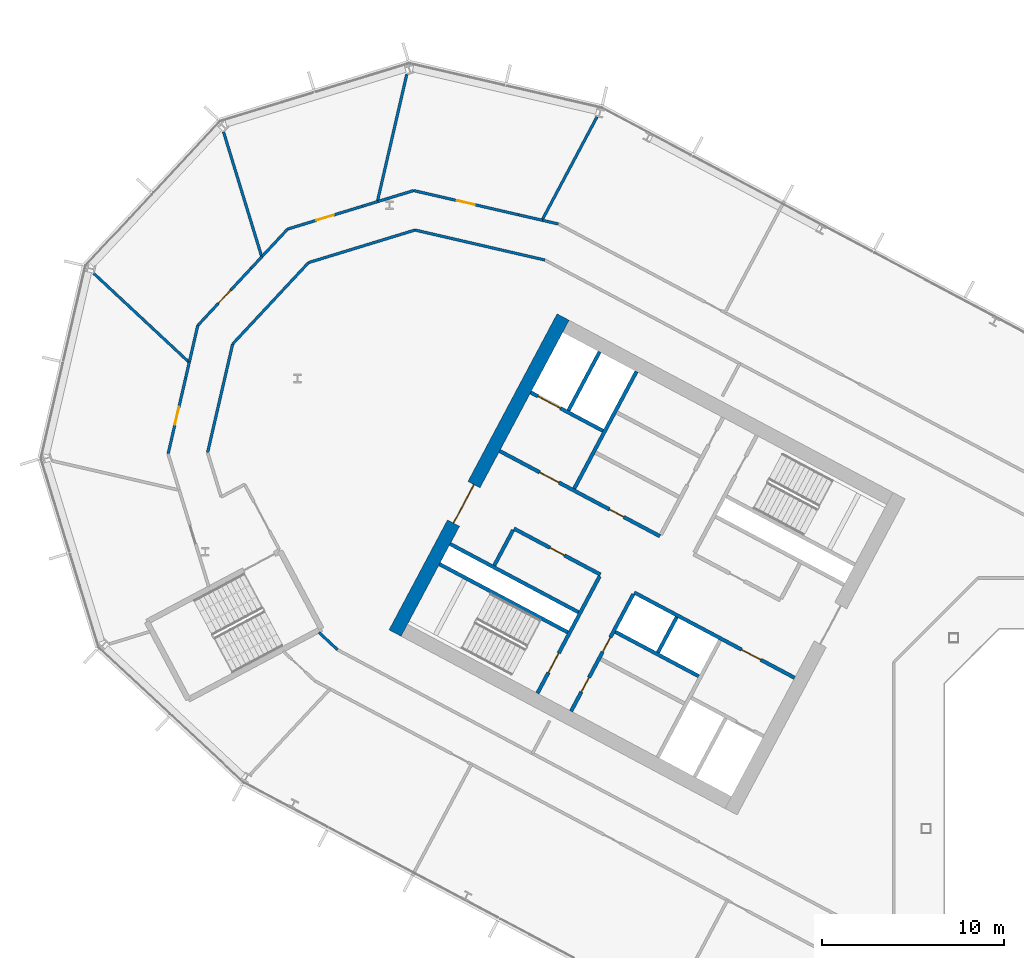
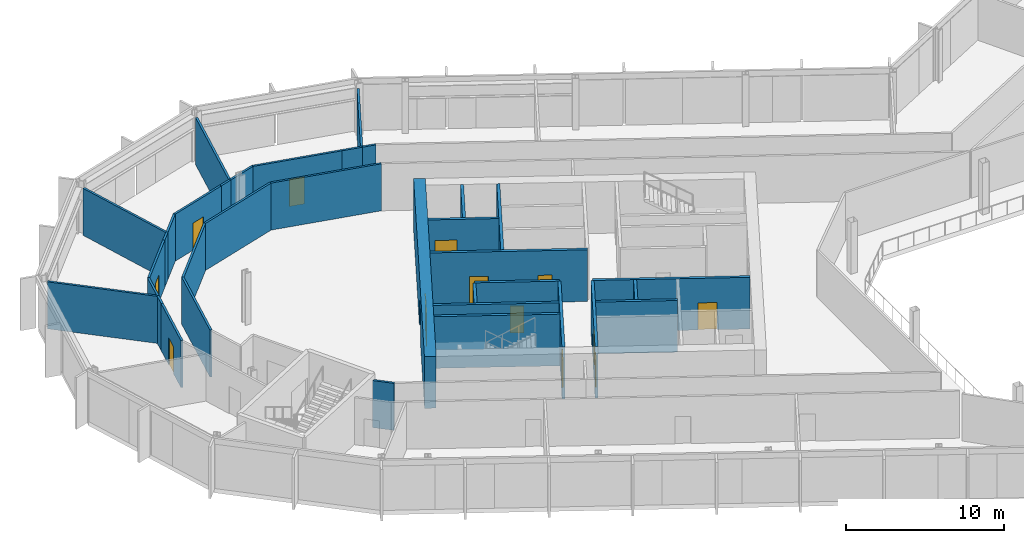
# One storey, part 14 of 28: 35 walls, 13 doors, 13 openings.
"""IFC4 building model written with IfcOpenShell, lengths in metres."""

from ifc_helpers import new_model, si_unit, direction, frame, frame_2d, origin, place, context, subcontext, project, spatial, rectangle, extrude, material, layer, layer_set, type_object, element, fill, save


model = new_model("IFC4")

# Units and contexts
model_context = context("Model", 3, precision=1e-05, world=origin(), true_north=direction((0.0, 1.0)))
body_context = subcontext(model_context, "Body", "Model", "MODEL_VIEW")
ifc_project = project(units=[si_unit("LENGTHUNIT", "METRE"), si_unit("AREAUNIT", "SQUARE_METRE"), si_unit("VOLUMEUNIT", "CUBIC_METRE"), si_unit("PLANEANGLEUNIT", "RADIAN"), si_unit("MASSUNIT", "GRAM", prefix="KILO")], contexts=[model_context])

# Site, building, storey
site_placement = place(None, origin())
site = spatial("IfcSite", under=ifc_project, at=site_placement, CompositionType="ELEMENT")
building_placement = place(site_placement, origin())
building = spatial("IfcBuilding", under=site, at=building_placement, Name="Cormorant Relay Tower", CompositionType="ELEMENT")
storey_placement = place(building_placement, frame((0.0, 0.0, 138.199951171875)))
storey = spatial("IfcBuildingStorey", under=building, at=storey_placement, Name="L28", CompositionType="ELEMENT", Elevation=138.199951171875)

# Wall
ifc_material_1 = material(Name="Concrete 40 MPa", Category="concrete")
ifc_layer_1 = layer(ifc_material_1, 0.199951171875)
ifc_layer_set_1 = layer_set([ifc_layer_1], Name="Core internal wall 200")
wall_type_1 = type_object("IfcWallType", Name="Core internal wall 200", PredefinedType="SOLIDWALL", material=ifc_layer_set_1)
wall_1_placement = place(storey_placement, frame((-25.744140625, 11.64990234375, 0.0), z_axis=(0.0, 0.0, 1.0), x_axis=(-0.469487830541, -0.882938942948, 0.0)))
element("IfcWall", 1, at=wall_1_placement, inside=storey, type_object=wall_type_1, Name="L28 core A shaft and room wall", PredefinedType="SOLIDWALL", context=body_context, shape_type="SweptSolid", body=[
    extrude(rectangle(XDim=2.2001953125, YDim=0.199951171875, at=frame_2d((1.10009765625, 0.0))), origin(), (0.0, 0.0, 1.0), 4.0),
])

# Wall, openings, doors
ifc_material_2 = material(Name="Concrete 50 MPa", Category="concrete")
ifc_layer_2 = layer(ifc_material_2, 0.199951171875)
ifc_layer_set_2 = layer_set([ifc_layer_2], Name="Core shaft wall 200")
wall_type_2 = type_object("IfcWallType", Name="Core shaft wall 200", PredefinedType="SHEAR", material=ifc_layer_set_2)
wall_2_placement = place(storey_placement, frame((-28.128173828125, 12.91748046875, 0.0), z_axis=(0.0, 0.0, 1.0), x_axis=(-0.469454336211, -0.882956752176, 0.0)))
wall_2 = element("IfcWall", 2, at=wall_2_placement, inside=storey, type_object=wall_type_2, Name="L28 core A shaft wall", PredefinedType="SHEAR", context=body_context, shape_type="SweptSolid", body=[
    extrude(rectangle(XDim=7.300048828125, YDim=0.199951171875, at=frame_2d((3.64990234375, 0.0))), origin(), (0.0, 0.0, 1.0), 4.0),
])
opening_1_placement = place(wall_2_placement, frame((2.699951171875, 0.0, 0.0)))
opening_1 = element("IfcOpeningElement", 3, at=opening_1_placement, cuts=wall_2, Name="Opening CDD-187", PredefinedType="OPENING", context=body_context, shape_type="SweptSolid", body=[
    extrude(rectangle(XDim=0.89990234375, YDim=2.10009765625, at=frame_2d((0.449951171875, 1.050048828125))), frame((0.0, 0.10986328125, 0.0), z_axis=(0.0, -1.0, 0.0), x_axis=(1.0, 0.0, 0.0)), (0.0, 0.0, 1.0), 0.219970703125),
])
opening_2_placement = place(wall_2_placement, frame((5.199951171875, 0.0, 0.0)))
opening_2 = element("IfcOpeningElement", 4, at=opening_2_placement, cuts=wall_2, Name="Opening CDD-188", PredefinedType="OPENING", context=body_context, shape_type="SweptSolid", body=[
    extrude(rectangle(XDim=0.89990234375, YDim=2.10009765625, at=frame_2d((0.449951171875, 1.050048828125))), frame((0.0, 0.10986328125, 0.0), z_axis=(0.0, -1.0, 0.0), x_axis=(1.0, 0.0, 0.0)), (0.0, 0.0, 1.0), 0.219970703125),
])
ifc_material_3 = material(Name="Steel fire door", Category="steel")
door_type_1 = type_object("IfcDoorType", Name="Core room door 900x2100", OperationType="SINGLE_SWING_LEFT", PredefinedType="DOOR", material=ifc_material_3)
door_1_placement = place(opening_1_placement, origin())
door_1 = element("IfcDoor", 5, at=door_1_placement, inside=storey, type_object=door_type_1, Name="Core room door 900x2100", OperationType="SINGLE_SWING_LEFT", OverallHeight=2.10009765625, OverallWidth=0.89990234375, PredefinedType="DOOR", context=body_context, shape_type="SweptSolid", body=[
    extrude(rectangle(XDim=0.89990234375, YDim=2.10009765625, at=frame_2d((0.449951171875, 1.050048828125))), frame((0.0, 0.02490234375, 0.0), z_axis=(0.0, -1.0, 0.0), x_axis=(1.0, 0.0, 0.0)), (0.0, 0.0, 1.0), 0.050048828125),
])
fill(opening_1, door_1)
door_2_placement = place(opening_2_placement, origin())
door_2 = element("IfcDoor", 6, at=door_2_placement, inside=storey, type_object=door_type_1, Name="Core room door 900x2100", OperationType="SINGLE_SWING_LEFT", OverallHeight=2.10009765625, OverallWidth=0.89990234375, PredefinedType="DOOR", context=body_context, shape_type="SweptSolid", body=[
    extrude(rectangle(XDim=0.89990234375, YDim=2.10009765625, at=frame_2d((0.449951171875, 1.050048828125))), frame((0.0, 0.02490234375, 0.0), z_axis=(0.0, -1.0, 0.0), x_axis=(1.0, 0.0, 0.0)), (0.0, 0.0, 1.0), 0.050048828125),
])
fill(opening_2, door_2)

# Wall, opening, door
wall_3_placement = place(storey_placement, frame((-29.982421875, 13.9033203125, 0.0), z_axis=(0.0, 0.0, 1.0), x_axis=(-0.469454336211, -0.882956752176, 0.0)))
wall_3 = element("IfcWall", 7, at=wall_3_placement, inside=storey, type_object=wall_type_2, Name="L28 core A shaft wall", PredefinedType="SHEAR", context=body_context, shape_type="SweptSolid", body=[
    extrude(rectangle(XDim=7.300048828125, YDim=0.199951171875, at=frame_2d((3.64990234375, 0.0))), origin(), (0.0, 0.0, 1.0), 4.0),
])
opening_3_placement = place(wall_3_placement, frame((4.800048828125, 0.0, 0.0)))
opening_3 = element("IfcOpeningElement", 8, at=opening_3_placement, cuts=wall_3, Name="Opening CDB-035", PredefinedType="OPENING", context=body_context, shape_type="SweptSolid", body=[
    extrude(rectangle(XDim=1.199951171875, YDim=2.10009765625, at=frame_2d((0.60009765625, 1.050048828125))), frame((0.0, 0.10986328125, 0.0), z_axis=(0.0, -1.0, 0.0), x_axis=(1.0, 0.0, 0.0)), (0.0, 0.0, 1.0), 0.219970703125),
])
ifc_material_4 = material(Name="Steel fire door", Category="steel")
door_type_2 = type_object("IfcDoorType", Name="Core stair door 1200x2100", OperationType="SINGLE_SWING_LEFT", PredefinedType="DOOR", material=ifc_material_4)
door_3_placement = place(opening_3_placement, frame((1.199951171875, 0.0, 0.0), z_axis=(0.0, 0.0, 1.0), x_axis=(-1.0, 0.0, 0.0)))
door_3 = element("IfcDoor", 9, at=door_3_placement, inside=storey, type_object=door_type_2, Name="Core stair door 1200x2100", OperationType="SINGLE_SWING_RIGHT", OverallHeight=2.10009765625, OverallWidth=1.199951171875, PredefinedType="DOOR", context=body_context, shape_type="SweptSolid", body=[
    extrude(rectangle(XDim=1.199951171875, YDim=2.10009765625, at=frame_2d((0.60009765625, 1.050048828125))), frame((0.0, 0.02490234375, 0.0), z_axis=(0.0, -1.0, 0.0), x_axis=(1.0, 0.0, 0.0)), (0.0, 0.0, 1.0), 0.050048828125),
])
fill(opening_3, door_3)

# Walls
wall_4_placement = place(storey_placement, frame((-27.955322265625, 25.170654296875, 0.0), z_axis=(0.0, 0.0, 1.0), x_axis=(-0.469480409012, -0.88294288918, 0.0)))
element("IfcWall", 10, at=wall_4_placement, inside=storey, type_object=wall_type_2, Name="L28 core A shaft wall", PredefinedType="SHEAR", context=body_context, shape_type="SweptSolid", body=[
    extrude(rectangle(XDim=7.300048828125, YDim=0.199951171875, at=frame_2d((3.64990234375, 0.0))), origin(), (0.0, 0.0, 1.0), 4.0),
])
wall_5_placement = place(storey_placement, frame((-34.750244140625, 16.4384765625, 0.0), z_axis=(0.0, 0.0, 1.0), x_axis=(-0.469401318492, -0.882984938828, 0.0)))
element("IfcWall", 11, at=wall_5_placement, inside=storey, type_object=wall_type_2, Name="L28 core A shaft wall", PredefinedType="SHEAR", context=body_context, shape_type="SweptSolid", body=[
    extrude(rectangle(XDim=2.199951171875, YDim=0.199951171875, at=frame_2d((1.10009765625, 0.0))), origin(), (0.0, 0.0, 1.0), 4.0),
])
wall_6_placement = place(storey_placement, frame((-29.986083984375, 26.250244140625, 0.0), z_axis=(0.0, 0.0, 1.0), x_axis=(-0.469494272526, -0.882935517501, 0.0)))
element("IfcWall", 12, at=wall_6_placement, inside=storey, type_object=wall_type_2, Name="L28 core A shaft wall", PredefinedType="SHEAR", context=body_context, shape_type="SweptSolid", body=[
    extrude(rectangle(XDim=3.64990234375, YDim=0.199951171875, at=frame_2d((1.824951171875, 0.0))), origin(), (0.0, 0.0, 1.0), 4.0),
])

# Wall, opening, door
wall_7_placement = place(storey_placement, frame((-29.80419921875, 21.906494140625, 0.0), z_axis=(0.0, 0.0, 1.0), x_axis=(-0.882960433586, 0.469447412093, 0.0)))
wall_7 = element("IfcWall", 13, at=wall_7_placement, inside=storey, type_object=wall_type_2, Name="L28 core A shaft wall", PredefinedType="SHEAR", context=body_context, shape_type="SweptSolid", body=[
    extrude(rectangle(XDim=4.5, YDim=0.199951171875, at=frame_2d((2.25, 0.0))), origin(), (0.0, 0.0, 1.0), 4.0),
])
opening_4_placement = place(wall_7_placement, frame((2.64990234375, 0.0, 0.0)))
opening_4 = element("IfcOpeningElement", 14, at=opening_4_placement, cuts=wall_7, Name="Opening LD3-013", PredefinedType="OPENING", context=body_context, shape_type="SweptSolid", body=[
    extrude(rectangle(XDim=1.39990234375, YDim=2.39990234375, at=frame_2d((0.699951171875, 1.199951171875))), frame((0.0, 0.10986328125, 0.0), z_axis=(0.0, -1.0, 0.0), x_axis=(1.0, 0.0, 0.0)), (0.0, 0.0, 1.0), 0.219970703125),
])
ifc_material_5 = material(Name="Stainless steel 316", Category="steel")
door_type_3 = type_object("IfcDoorType", Name="Lift landing door 1400x2400", OperationType="DOUBLE_DOOR_SLIDING", PredefinedType="DOOR", material=ifc_material_5)
door_4_placement = place(opening_4_placement, origin())
door_4 = element("IfcDoor", 15, at=door_4_placement, inside=storey, type_object=door_type_3, Name="SV1 landing door", OperationType="DOUBLE_DOOR_SLIDING", OverallHeight=2.39990234375, OverallWidth=1.39990234375, PredefinedType="DOOR", context=body_context, shape_type="SweptSolid", body=[
    extrude(rectangle(XDim=1.39990234375, YDim=2.39990234375, at=frame_2d((0.699951171875, 1.199951171875))), frame((0.0, 0.02490234375, 0.0), z_axis=(0.0, -1.0, 0.0), x_axis=(1.0, 0.0, 0.0)), (0.0, 0.0, 1.0), 0.050048828125),
])
fill(opening_4, door_4)

# Wall, openings, doors
wall_8_placement = place(storey_placement, frame((-26.66162109375, 16.1015625, 0.0), z_axis=(0.0, 0.0, 1.0), x_axis=(-0.882940221191, 0.469485426614, 0.0)))
wall_8 = element("IfcWall", 16, at=wall_8_placement, inside=storey, type_object=wall_type_2, Name="L28 core A shaft wall", PredefinedType="SHEAR", context=body_context, shape_type="SweptSolid", body=[
    extrude(rectangle(XDim=10.0, YDim=0.199951171875, at=frame_2d((5.0, 0.0))), origin(), (0.0, 0.0, 1.0), 4.0),
])
opening_5_placement = place(wall_8_placement, frame((6.300048828125, 0.0, 0.0)))
opening_5 = element("IfcOpeningElement", 17, at=opening_5_placement, cuts=wall_8, Name="Opening CDC-029", PredefinedType="OPENING", context=body_context, shape_type="SweptSolid", body=[
    extrude(rectangle(XDim=1.199951171875, YDim=2.10009765625, at=frame_2d((0.60009765625, 1.050048828125))), frame((0.0, 0.10986328125, 0.0), z_axis=(0.0, -1.0, 0.0), x_axis=(1.0, 0.0, 0.0)), (0.0, 0.0, 1.0), 0.219970703125),
])
opening_6_placement = place(wall_8_placement, frame((2.25, 0.0, 0.0)))
opening_6 = element("IfcOpeningElement", 18, at=opening_6_placement, cuts=wall_8, Name="Opening CDD-186", PredefinedType="OPENING", context=body_context, shape_type="SweptSolid", body=[
    extrude(rectangle(XDim=0.89990234375, YDim=2.10009765625, at=frame_2d((0.449951171875, 1.050048828125))), frame((0.0, 0.10986328125, 0.0), z_axis=(0.0, -1.0, 0.0), x_axis=(1.0, 0.0, 0.0)), (0.0, 0.0, 1.0), 0.219970703125),
])
ifc_material_6 = material(Name="Steel fire door", Category="steel")
door_type_4 = type_object("IfcDoorType", Name="Core lobby door 1200x2100", OperationType="SINGLE_SWING_LEFT", PredefinedType="DOOR", material=ifc_material_6)
door_5_placement = place(opening_5_placement, frame((1.199951171875, 0.0, 0.0), z_axis=(0.0, 0.0, 1.0), x_axis=(-1.0, 0.0, 0.0)))
door_5 = element("IfcDoor", 19, at=door_5_placement, inside=storey, type_object=door_type_4, Name="Core lobby door 1200x2100", OperationType="SINGLE_SWING_RIGHT", OverallHeight=2.10009765625, OverallWidth=1.199951171875, PredefinedType="DOOR", context=body_context, shape_type="SweptSolid", body=[
    extrude(rectangle(XDim=1.199951171875, YDim=2.10009765625, at=frame_2d((0.60009765625, 1.050048828125))), frame((0.0, 0.02490234375, 0.0), z_axis=(0.0, -1.0, 0.0), x_axis=(1.0, 0.0, 0.0)), (0.0, 0.0, 1.0), 0.050048828125),
])
fill(opening_5, door_5)
door_6_placement = place(opening_6_placement, frame((0.89990234375, 0.0, 0.0), z_axis=(0.0, 0.0, 1.0), x_axis=(-1.0, 0.0, 0.0)))
door_6 = element("IfcDoor", 20, at=door_6_placement, inside=storey, type_object=door_type_1, Name="Core room door 900x2100", OperationType="SINGLE_SWING_RIGHT", OverallHeight=2.10009765625, OverallWidth=0.89990234375, PredefinedType="DOOR", context=body_context, shape_type="SweptSolid", body=[
    extrude(rectangle(XDim=0.89990234375, YDim=2.10009765625, at=frame_2d((0.449951171875, 1.050048828125))), frame((0.0, 0.02490234375, 0.0), z_axis=(0.0, -1.0, 0.0), x_axis=(1.0, 0.0, 0.0)), (0.0, 0.0, 1.0), 0.050048828125),
])
fill(opening_6, door_6)

# Wall, opening, door
wall_9_placement = place(storey_placement, frame((-19.251708984375, 8.31103515625, 0.0), z_axis=(0.0, 0.0, 1.0), x_axis=(-0.882955722218, 0.469456273365, 0.0)))
wall_9 = element("IfcWall", 21, at=wall_9_placement, inside=storey, type_object=wall_type_2, Name="L28 core A shaft wall", PredefinedType="SHEAR", context=body_context, shape_type="SweptSolid", body=[
    extrude(rectangle(XDim=10.0, YDim=0.199951171875, at=frame_2d((5.0, 0.0))), origin(), (0.0, 0.0, 1.0), 4.0),
])
opening_7_placement = place(wall_9_placement, frame((2.10009765625, 0.0, 0.0)))
opening_7 = element("IfcOpeningElement", 22, at=opening_7_placement, cuts=wall_9, Name="Opening CDC-025", PredefinedType="OPENING", context=body_context, shape_type="SweptSolid", body=[
    extrude(rectangle(XDim=1.199951171875, YDim=2.10009765625, at=frame_2d((0.60009765625, 1.050048828125))), frame((0.0, 0.10986328125, 0.0), z_axis=(0.0, -1.0, 0.0), x_axis=(1.0, 0.0, 0.0)), (0.0, 0.0, 1.0), 0.219970703125),
])
door_7_placement = place(opening_7_placement, origin())
door_7 = element("IfcDoor", 23, at=door_7_placement, inside=storey, type_object=door_type_4, Name="Core lobby door 1200x2100", OperationType="SINGLE_SWING_RIGHT", OverallHeight=2.10009765625, OverallWidth=1.199951171875, PredefinedType="DOOR", context=body_context, shape_type="SweptSolid", body=[
    extrude(rectangle(XDim=1.199951171875, YDim=2.10009765625, at=frame_2d((0.60009765625, 1.050048828125))), frame((0.0, 0.02490234375, 0.0), z_axis=(0.0, -1.0, 0.0), x_axis=(1.0, 0.0, 0.0)), (0.0, 0.0, 1.0), 0.050048828125),
])
fill(opening_7, door_7)

wall_10_placement = place(storey_placement, frame((-29.935302734375, 13.991455078125, 0.0), z_axis=(0.0, 0.0, 1.0), x_axis=(-0.882952937579, 0.469461510692, 0.0)))
wall_10 = element("IfcWall", 24, at=wall_10_placement, inside=storey, type_object=wall_type_2, Name="L28 core A shaft wall", PredefinedType="SHEAR", context=body_context, shape_type="SweptSolid", body=[
    extrude(rectangle(XDim=5.400146484375, YDim=0.199951171875, at=frame_2d((2.7001953125, 0.0))), origin(), (0.0, 0.0, 1.0), 4.0),
])
opening_8_placement = place(wall_10_placement, frame((2.25, 0.0, 0.0)))
opening_8 = element("IfcOpeningElement", 25, at=opening_8_placement, cuts=wall_10, Name="Opening CDD-184", PredefinedType="OPENING", context=body_context, shape_type="SweptSolid", body=[
    extrude(rectangle(XDim=0.89990234375, YDim=2.10009765625, at=frame_2d((0.449951171875, 1.050048828125))), frame((0.0, 0.10986328125, 0.0), z_axis=(0.0, -1.0, 0.0), x_axis=(1.0, 0.0, 0.0)), (0.0, 0.0, 1.0), 0.219970703125),
])
door_8_placement = place(opening_8_placement, origin())
door_8 = element("IfcDoor", 26, at=door_8_placement, inside=storey, type_object=door_type_1, Name="Core room door 900x2100", OperationType="SINGLE_SWING_LEFT", OverallHeight=2.10009765625, OverallWidth=0.89990234375, PredefinedType="DOOR", context=body_context, shape_type="SweptSolid", body=[
    extrude(rectangle(XDim=0.89990234375, YDim=2.10009765625, at=frame_2d((0.449951171875, 1.050048828125))), frame((0.0, 0.02490234375, 0.0), z_axis=(0.0, -1.0, 0.0), x_axis=(1.0, 0.0, 0.0)), (0.0, 0.0, 1.0), 0.050048828125),
])
fill(opening_8, door_8)

# Walls
wall_11_placement = place(storey_placement, frame((-24.5283203125, 8.3984375, 0.0), z_axis=(0.0, 0.0, 1.0), x_axis=(-0.882953967957, 0.469459572775, 0.0)))
element("IfcWall", 27, at=wall_11_placement, inside=storey, type_object=wall_type_2, Name="L28 core A shaft wall", PredefinedType="SHEAR", context=body_context, shape_type="SweptSolid", body=[
    extrude(rectangle(XDim=5.199951171875, YDim=0.199951171875, at=frame_2d((2.60009765625, 0.0))), origin(), (0.0, 0.0, 1.0), 4.0),
])
for number, where, z_axis, x_axis, name in (
    (28, (-31.150390625, 11.91943359375, 0.0), (0.0, 0.0, 1.0), (-0.882940221191, 0.469485426614, 0.0), "L28 core A shaft wall"),
    (29, (-31.7373046875, 10.815673828125, 0.0), (0.0, 0.0, 1.0), (-0.882940221191, 0.469485426614, 0.0), "L28 core A shaft wall"),
):
    element("IfcWall", number, at=place(storey_placement, frame(where, z_axis=z_axis, x_axis=x_axis)), inside=storey, type_object=wall_type_2, Name=name, PredefinedType="SHEAR", context=body_context, shape_type="SweptSolid", body=[
        extrude(rectangle(XDim=8.0, YDim=0.199951171875, at=frame_2d((4.0, 0.0))), origin(), (0.0, 0.0, 1.0), 4.0),
    ])

# Wall, opening, door
ifc_material_7 = material(Name="Concrete 60 MPa", Category="concrete")
ifc_layer_3 = layer(ifc_material_7, 0.75)
ifc_layer_set_3 = layer_set([ifc_layer_3], Name="Core wall 750")
wall_type_3 = type_object("IfcWallType", Name="Core wall 750", PredefinedType="SHEAR", material=ifc_layer_set_3)
wall_12_placement = place(storey_placement, frame((-31.995849609375, 28.16845703125, 0.0), z_axis=(0.0, 0.0, 1.0), x_axis=(-0.469479580143, -0.882943329908, 0.0)))
wall_12 = element("IfcWall", 30, at=wall_12_placement, inside=storey, type_object=wall_type_3, Name="L28 core A wall", PredefinedType="SHEAR", context=body_context, shape_type="SweptSolid", body=[
    extrude(rectangle(XDim=19.699951171875, YDim=0.75, at=frame_2d((9.85009765625, 0.0))), origin(), (0.0, 0.0, 1.0), 4.0),
])
opening_9_placement = place(wall_12_placement, frame((10.449951171875, 0.0, 0.0)))
opening_9 = element("IfcOpeningElement", 31, at=opening_9_placement, cuts=wall_12, Name="Opening CDA-027", PredefinedType="OPENING", context=body_context, shape_type="SweptSolid", body=[
    extrude(rectangle(XDim=2.39990234375, YDim=2.39990234375, at=frame_2d((1.199951171875, 1.199951171875))), frame((0.0, 0.385009765625, 0.0), z_axis=(0.0, -1.0, 0.0), x_axis=(1.0, 0.0, 0.0)), (0.0, 0.0, 1.0), 0.77001953125),
])
ifc_material_8 = material(Name="Steel fire door", Category="steel")
door_type_5 = type_object("IfcDoorType", Name="Core lobby door 2400x2400", OperationType="DOUBLE_DOOR_SINGLE_SWING", PredefinedType="DOOR", material=ifc_material_8)
door_9_placement = place(opening_9_placement, origin())
door_9 = element("IfcDoor", 32, at=door_9_placement, inside=storey, type_object=door_type_5, Name="Core lobby door 2400x2400", OperationType="DOUBLE_DOOR_SINGLE_SWING", OverallHeight=2.39990234375, OverallWidth=2.39990234375, PredefinedType="DOOR", context=body_context, shape_type="SweptSolid", body=[
    extrude(rectangle(XDim=2.39990234375, YDim=2.39990234375, at=frame_2d((1.199951171875, 1.199951171875))), frame((0.0, 0.02490234375, 0.0), z_axis=(0.0, -1.0, 0.0), x_axis=(1.0, 0.0, 0.0)), (0.0, 0.0, 1.0), 0.050048828125),
])
fill(opening_9, door_9)

ifc_material_9 = material(Name="Gypsum board fire partition")
ifc_layer_4 = layer(ifc_material_9, 0.14990234375)
ifc_layer_set_4 = layer_set([ifc_layer_4], Name="Corridor partition 150 EI 60")
wall_type_4 = type_object("IfcWallType", Name="Corridor partition 150 EI 60", PredefinedType="PARTITIONING", material=ifc_layer_set_4)
wall_13_placement = place(storey_placement, frame((-52.76904296875, 24.825927734375, 0.0), z_axis=(0.0, 0.0, 1.0), x_axis=(-0.224938307653, -0.974373007503, 0.0)))
wall_13 = element("IfcWall", 33, at=wall_13_placement, inside=storey, type_object=wall_type_4, Name="wall/L28/part/004", PredefinedType="PARTITIONING", context=body_context, shape_type="SweptSolid", body=[
    extrude(rectangle(XDim=4.299072265625, YDim=0.14990234375, at=frame_2d((2.1494140625, 0.0))), origin(), (0.0, 0.0, 1.0), 3.64013671875),
])
opening_10_placement = place(wall_13_placement, frame((1.64990234375, 0.0, 0.0)))
opening_10 = element("IfcOpeningElement", 34, at=opening_10_placement, cuts=wall_13, Name="Opening DS-028", PredefinedType="OPENING", context=body_context, shape_type="SweptSolid", body=[
    extrude(rectangle(XDim=1.0, YDim=2.10009765625, at=frame_2d((0.5, 1.050048828125))), frame((0.0, 0.0849609375, 0.0), z_axis=(0.0, -1.0, 0.0), x_axis=(1.0, 0.0, 0.0)), (0.0, 0.0, 1.0), 0.169921875),
])
ifc_material_10 = material(Name="Timber door leaf", Category="wood")
door_type_6 = type_object("IfcDoorType", Name="Suite door 1000x2100", OperationType="SINGLE_SWING_LEFT", PredefinedType="DOOR", material=ifc_material_10)
door_10_placement = place(opening_10_placement, frame((1.0, 0.0, 0.0), z_axis=(0.0, 0.0, 1.0), x_axis=(-1.0, 0.0, 0.0)))
door_10 = element("IfcDoor", 35, at=door_10_placement, inside=storey, type_object=door_type_6, Name="door/L28/015", OperationType="SINGLE_SWING_RIGHT", OverallHeight=2.10009765625, OverallWidth=1.0, PredefinedType="DOOR", context=body_context, shape_type="SweptSolid", body=[
    extrude(rectangle(XDim=1.0, YDim=2.10009765625, at=frame_2d((0.5, 1.050048828125))), frame((0.0, 0.02490234375, 0.0), z_axis=(0.0, -1.0, 0.0), x_axis=(1.0, 0.0, 0.0)), (0.0, 0.0, 1.0), 0.050048828125),
])
fill(opening_10, door_10)

# Walls
wall_14_placement = place(storey_placement, frame((-52.76904296875, 24.825927734375, 0.0), z_axis=(0.0, 0.0, 1.0), x_axis=(0.224999270749, 0.974358931894, 0.0)))
element("IfcWall", 36, at=wall_14_placement, inside=storey, type_object=wall_type_4, Name="wall/L28/part/007", PredefinedType="PARTITIONING", context=body_context, shape_type="SweptSolid", body=[
    extrude(rectangle(XDim=0.89306640625, YDim=0.14990234375, at=frame_2d((0.446533203125, 0.0))), origin(), (0.0, 0.0, 1.0), 3.64013671875),
])
wall_15_placement = place(storey_placement, frame((-52.10400390625, 27.705078125, 0.0), z_axis=(0.0, 0.0, 1.0), x_axis=(-0.225084333606, -0.974339285242, 0.0)))
element("IfcWall", 37, at=wall_15_placement, inside=storey, type_object=wall_type_4, Name="wall/L28/part/008", PredefinedType="PARTITIONING", context=body_context, shape_type="SweptSolid", body=[
    extrude(rectangle(XDim=2.06201171875, YDim=0.14990234375, at=frame_2d((1.031005859375, 0.0))), origin(), (0.0, 0.0, 1.0), 3.64013671875),
])

# Wall, opening, door
wall_16_placement = place(storey_placement, frame((-52.10400390625, 27.7041015625, 0.0), z_axis=(0.0, 0.0, 1.0), x_axis=(0.681907306721, 0.731438599638, 0.0)))
wall_16 = element("IfcWall", 38, at=wall_16_placement, inside=storey, type_object=wall_type_4, Name="wall/L28/part/009", PredefinedType="PARTITIONING", context=body_context, shape_type="SweptSolid", body=[
    extrude(rectangle(XDim=4.298095703125, YDim=0.14990234375, at=frame_2d((2.14892578125, 0.0))), origin(), (0.0, 0.0, 1.0), 3.64013671875),
])
opening_11_placement = place(wall_16_placement, frame((1.64990234375, 0.0, 0.0)))
opening_11 = element("IfcOpeningElement", 39, at=opening_11_placement, cuts=wall_16, Name="Opening DS-027", PredefinedType="OPENING", context=body_context, shape_type="SweptSolid", body=[
    extrude(rectangle(XDim=1.0, YDim=2.10009765625, at=frame_2d((0.5, 1.050048828125))), frame((0.0, 0.0849609375, 0.0), z_axis=(0.0, -1.0, 0.0), x_axis=(1.0, 0.0, 0.0)), (0.0, 0.0, 1.0), 0.169921875),
])
door_11_placement = place(opening_11_placement, origin())
door_11 = element("IfcDoor", 40, at=door_11_placement, inside=storey, type_object=door_type_6, Name="door/L28/014", OperationType="SINGLE_SWING_RIGHT", OverallHeight=2.10009765625, OverallWidth=1.0, PredefinedType="DOOR", context=body_context, shape_type="SweptSolid", body=[
    extrude(rectangle(XDim=1.0, YDim=2.10009765625, at=frame_2d((0.5, 1.050048828125))), frame((0.0, 0.02490234375, 0.0), z_axis=(0.0, -1.0, 0.0), x_axis=(1.0, 0.0, 0.0)), (0.0, 0.0, 1.0), 0.050048828125),
])
fill(opening_11, door_11)

# Wall
wall_17_placement = place(storey_placement, frame((-49.173095703125, 30.847900390625, 0.0), z_axis=(0.0, 0.0, 1.0), x_axis=(0.681529523193, 0.73179061829, 0.0)))
element("IfcWall", 41, at=wall_17_placement, inside=storey, type_object=wall_type_4, Name="wall/L28/part/013", PredefinedType="PARTITIONING", context=body_context, shape_type="SweptSolid", body=[
    extrude(rectangle(XDim=0.893798828125, YDim=0.14990234375, at=frame_2d((0.44677734375, 0.0))), origin(), (0.0, 0.0, 1.0), 3.64013671875),
])

# Wall, opening, door
wall_18_placement = place(storey_placement, frame((-43.047119140625, 34.26611328125, 0.0), z_axis=(0.0, 0.0, 1.0), x_axis=(-0.95628717933, -0.292429189118, 0.0)))
wall_18 = element("IfcWall", 42, at=wall_18_placement, inside=storey, type_object=wall_type_4, Name="wall/L28/part/014", PredefinedType="PARTITIONING", context=body_context, shape_type="SweptSolid", body=[
    extrude(rectangle(XDim=4.298828125, YDim=0.14990234375, at=frame_2d((2.1494140625, 0.0))), origin(), (0.0, 0.0, 1.0), 3.64013671875),
])
opening_12_placement = place(wall_18_placement, frame((1.64990234375, 0.0, 0.0)))
opening_12 = element("IfcOpeningElement", 43, at=opening_12_placement, cuts=wall_18, Name="Opening DS-026", PredefinedType="OPENING", context=body_context, shape_type="SweptSolid", body=[
    extrude(rectangle(XDim=1.0, YDim=2.10009765625, at=frame_2d((0.5, 1.050048828125))), frame((0.0, 0.0849609375, 0.0), z_axis=(0.0, -1.0, 0.0), x_axis=(1.0, 0.0, 0.0)), (0.0, 0.0, 1.0), 0.169921875),
])
door_12_placement = place(opening_12_placement, frame((1.0, 0.0, 0.0), z_axis=(0.0, 0.0, 1.0), x_axis=(-1.0, 0.0, 0.0)))
door_12 = element("IfcDoor", 44, at=door_12_placement, inside=storey, type_object=door_type_6, Name="door/L28/013", OperationType="SINGLE_SWING_RIGHT", OverallHeight=2.10009765625, OverallWidth=1.0, PredefinedType="DOOR", context=body_context, shape_type="SweptSolid", body=[
    extrude(rectangle(XDim=1.0, YDim=2.10009765625, at=frame_2d((0.5, 1.050048828125))), frame((0.0, 0.02490234375, 0.0), z_axis=(0.0, -1.0, 0.0), x_axis=(1.0, 0.0, 0.0)), (0.0, 0.0, 1.0), 0.050048828125),
])
fill(opening_12, door_12)

# Walls
wall_19_placement = place(storey_placement, frame((-47.157958984375, 33.009033203125, 0.0), z_axis=(0.0, 0.0, 1.0), x_axis=(-0.682162081417, -0.731200994719, 0.0)))
element("IfcWall", 45, at=wall_19_placement, inside=storey, type_object=wall_type_4, Name="wall/L28/part/015", PredefinedType="PARTITIONING", context=body_context, shape_type="SweptSolid", body=[
    extrude(rectangle(XDim=2.06103515625, YDim=0.14990234375, at=frame_2d((1.030517578125, 0.0))), origin(), (0.0, 0.0, 1.0), 3.64013671875),
])
wall_20_placement = place(storey_placement, frame((-51.56298828125, 20.712890625, 0.0), z_axis=(0.0, 0.0, 1.0), x_axis=(0.224853687454, 0.974392538579, 0.0)))
element("IfcWall", 46, at=wall_20_placement, inside=storey, type_object=wall_type_4, Name="wall/L28/part/019", PredefinedType="PARTITIONING", context=body_context, shape_type="SweptSolid", body=[
    extrude(rectangle(XDim=6.128173828125, YDim=0.14990234375, at=frame_2d((3.06396484375, 0.0))), origin(), (0.0, 0.0, 1.0), 3.64013671875),
])
wall_21_placement = place(storey_placement, frame((-50.18505859375, 26.68408203125, 0.0), z_axis=(0.0, 0.0, 1.0), x_axis=(0.682032845108, 0.731321542274, 0.0)))
element("IfcWall", 47, at=wall_21_placement, inside=storey, type_object=wall_type_4, Name="wall/L28/part/020", PredefinedType="PARTITIONING", context=body_context, shape_type="SweptSolid", body=[
    extrude(rectangle(XDim=6.127197265625, YDim=0.14990234375, at=frame_2d((3.0634765625, 0.0))), origin(), (0.0, 0.0, 1.0), 3.64013671875),
])
wall_22_placement = place(storey_placement, frame((-46.006103515625, 31.1650390625, 0.0), z_axis=(0.0, 0.0, 1.0), x_axis=(0.95628752803, 0.292428048816, 0.0)))
element("IfcWall", 48, at=wall_22_placement, inside=storey, type_object=wall_type_4, Name="wall/L28/part/021", PredefinedType="PARTITIONING", context=body_context, shape_type="SweptSolid", body=[
    extrude(rectangle(XDim=6.1279296875, YDim=0.14990234375, at=frame_2d((3.06396484375, 0.0))), origin(), (0.0, 0.0, 1.0), 3.64013671875),
])
wall_23_placement = place(storey_placement, frame((-40.14599609375, 32.95703125, 0.0), z_axis=(0.0, 0.0, 1.0), x_axis=(0.974359206281, -0.224998082516, 0.0)))
element("IfcWall", 49, at=wall_23_placement, inside=storey, type_object=wall_type_4, Name="wall/L28/part/022", PredefinedType="PARTITIONING", context=body_context, shape_type="SweptSolid", body=[
    extrude(rectangle(XDim=7.333984375, YDim=0.14990234375, at=frame_2d((3.6669921875, 0.0))), origin(), (0.0, 0.0, 1.0), 3.64013671875),
])
wall_24_placement = place(storey_placement, frame((-44.407958984375, 9.85107421875, 0.0), z_axis=(0.0, 0.0, 1.0), x_axis=(-0.730813748843, 0.682576929366, 0.0)))
element("IfcWall", 50, at=wall_24_placement, inside=storey, type_object=wall_type_4, Name="wall/L28/part/026", PredefinedType="PARTITIONING", context=body_context, shape_type="SweptSolid", body=[
    extrude(rectangle(XDim=1.412109375, YDim=0.14990234375, at=frame_2d((0.7060546875, 0.0))), origin(), (0.0, 0.0, 1.0), 3.64013671875),
])
wall_25_placement = place(storey_placement, frame((-43.047119140625, 34.26611328125, 0.0), z_axis=(0.0, 0.0, 1.0), x_axis=(0.956338836107, 0.292260210348, 0.0)))
element("IfcWall", 51, at=wall_25_placement, inside=storey, type_object=wall_type_4, Name="wall/L28/part/029", PredefinedType="PARTITIONING", context=body_context, shape_type="SweptSolid", body=[
    extrude(rectangle(XDim=0.89306640625, YDim=0.14990234375, at=frame_2d((0.446533203125, 0.0))), origin(), (0.0, 0.0, 1.0), 3.64013671875),
])
wall_26_placement = place(storey_placement, frame((-40.220947265625, 35.1298828125, 0.0), z_axis=(0.0, 0.0, 1.0), x_axis=(-0.956327673293, -0.292296735004, 0.0)))
element("IfcWall", 52, at=wall_26_placement, inside=storey, type_object=wall_type_4, Name="wall/L28/part/031", PredefinedType="PARTITIONING", context=body_context, shape_type="SweptSolid", body=[
    extrude(rectangle(XDim=2.062255859375, YDim=0.14990234375, at=frame_2d((1.03125, 0.0))), origin(), (0.0, 0.0, 1.0), 3.64013671875),
])

# Wall, opening, door
wall_27_placement = place(storey_placement, frame((-40.221923828125, 35.1298828125, 0.0), z_axis=(0.0, 0.0, 1.0), x_axis=(0.974339831562, -0.225081968694, 0.0)))
wall_27 = element("IfcWall", 53, at=wall_27_placement, inside=storey, type_object=wall_type_4, Name="wall/L28/part/032", PredefinedType="PARTITIONING", context=body_context, shape_type="SweptSolid", body=[
    extrude(rectangle(XDim=5.930908203125, YDim=0.14990234375, at=frame_2d((2.96533203125, 0.0))), origin(), (0.0, 0.0, 1.0), 3.64013671875),
])
opening_13_placement = place(wall_27_placement, frame((2.449951171875, 0.0, 0.0)))
opening_13 = element("IfcOpeningElement", 54, at=opening_13_placement, cuts=wall_27, Name="Opening DS-025", PredefinedType="OPENING", context=body_context, shape_type="SweptSolid", body=[
    extrude(rectangle(XDim=1.0, YDim=2.10009765625, at=frame_2d((0.5, 1.050048828125))), frame((0.0, 0.0849609375, 0.0), z_axis=(0.0, -1.0, 0.0), x_axis=(1.0, 0.0, 0.0)), (0.0, 0.0, 1.0), 0.169921875),
])
door_13_placement = place(opening_13_placement, origin())
door_13 = element("IfcDoor", 55, at=door_13_placement, inside=storey, type_object=door_type_6, Name="door/L28/012", OperationType="SINGLE_SWING_RIGHT", OverallHeight=2.10009765625, OverallWidth=1.0, PredefinedType="DOOR", context=body_context, shape_type="SweptSolid", body=[
    extrude(rectangle(XDim=1.0, YDim=2.10009765625, at=frame_2d((0.5, 1.050048828125))), frame((0.0, 0.02490234375, 0.0), z_axis=(0.0, -1.0, 0.0), x_axis=(1.0, 0.0, 0.0)), (0.0, 0.0, 1.0), 0.050048828125),
])
fill(opening_13, door_13)

# Walls
wall_28_placement = place(storey_placement, frame((-34.443115234375, 33.794921875, 0.0), z_axis=(0.0, 0.0, 1.0), x_axis=(0.97454926733, -0.224173427388, 0.0)))
element("IfcWall", 56, at=wall_28_placement, inside=storey, type_object=wall_type_4, Name="wall/L28/part/034", PredefinedType="PARTITIONING", context=body_context, shape_type="SweptSolid", body=[
    extrude(rectangle(XDim=1.3515625, YDim=0.14990234375, at=frame_2d((0.67578125, 0.0))), origin(), (0.0, 0.0, 1.0), 3.64013671875),
])
wall_29_placement = place(storey_placement, frame((-32.258056640625, 33.291015625, 0.0), z_axis=(0.0, 0.0, 1.0), x_axis=(-0.974233920413, 0.225539948383, 0.0)))
element("IfcWall", 57, at=wall_29_placement, inside=storey, type_object=wall_type_4, Name="wall/L28/part/038", PredefinedType="PARTITIONING", context=body_context, shape_type="SweptSolid", body=[
    extrude(rectangle(XDim=0.890869140625, YDim=0.14990234375, at=frame_2d((0.4453125, 0.0))), origin(), (0.0, 0.0, 1.0), 3.64013671875),
])
ifc_material_11 = material(Name="Gypsum board partition")
ifc_layer_5 = layer(ifc_material_11, 0.14990234375)
ifc_layer_set_5 = layer_set([ifc_layer_5], Name="Tenant partition 150")
wall_type_5 = type_object("IfcWallType", Name="Tenant partition 150", PredefinedType="PARTITIONING", material=ifc_layer_set_5)
wall_30_placement = place(storey_placement, frame((-57.841064453125, 30.580078125, 0.0), z_axis=(0.0, 0.0, 1.0), x_axis=(0.73138888014, -0.681960633767, 0.0)))
element("IfcWall", 58, at=wall_30_placement, inside=storey, type_object=wall_type_5, Name="wall/L28/part/002", PredefinedType="PARTITIONING", context=body_context, shape_type="SweptSolid", body=[
    extrude(rectangle(XDim=7.201416015625, YDim=0.14990234375, at=frame_2d((3.6005859375, 0.0))), origin(), (0.0, 0.0, 1.0), 3.64013671875),
])
wall_31_placement = place(storey_placement, frame((-50.68798828125, 38.365966796875, 0.0), z_axis=(0.0, 0.0, 1.0), x_axis=(0.292536448014, -0.956254373367, 0.0)))
element("IfcWall", 59, at=wall_31_placement, inside=storey, type_object=wall_type_5, Name="wall/L28/part/010", PredefinedType="PARTITIONING", context=body_context, shape_type="SweptSolid", body=[
    extrude(rectangle(XDim=7.198974609375, YDim=0.14990234375, at=frame_2d((3.599609375, 0.0))), origin(), (0.0, 0.0, 1.0), 3.64013671875),
])
wall_32_placement = place(storey_placement, frame((-40.59912109375, 41.533935546875, 0.0), z_axis=(0.0, 0.0, 1.0), x_axis=(-0.224998195806, -0.97435918012, 0.0)))
element("IfcWall", 60, at=wall_32_placement, inside=storey, type_object=wall_type_5, Name="wall/L28/part/030", PredefinedType="PARTITIONING", context=body_context, shape_type="SweptSolid", body=[
    extrude(rectangle(XDim=7.199462890625, YDim=0.14990234375, at=frame_2d((3.599609375, 0.0))), origin(), (0.0, 0.0, 1.0), 3.64013671875),
])
wall_33_placement = place(storey_placement, frame((-30.12890625, 39.18798828125, 0.0), z_axis=(0.0, 0.0, 1.0), x_axis=(-0.469441435839, -0.882963610981, 0.0)))
element("IfcWall", 61, at=wall_33_placement, inside=storey, type_object=wall_type_5, Name="wall/L28/part/035", PredefinedType="PARTITIONING", context=body_context, shape_type="SweptSolid", body=[
    extrude(rectangle(XDim=6.444091796875, YDim=0.14990234375, at=frame_2d((3.22216796875, 0.0))), origin(), (0.0, 0.0, 1.0), 3.64013671875),
])

save(model, "model.ifc")
